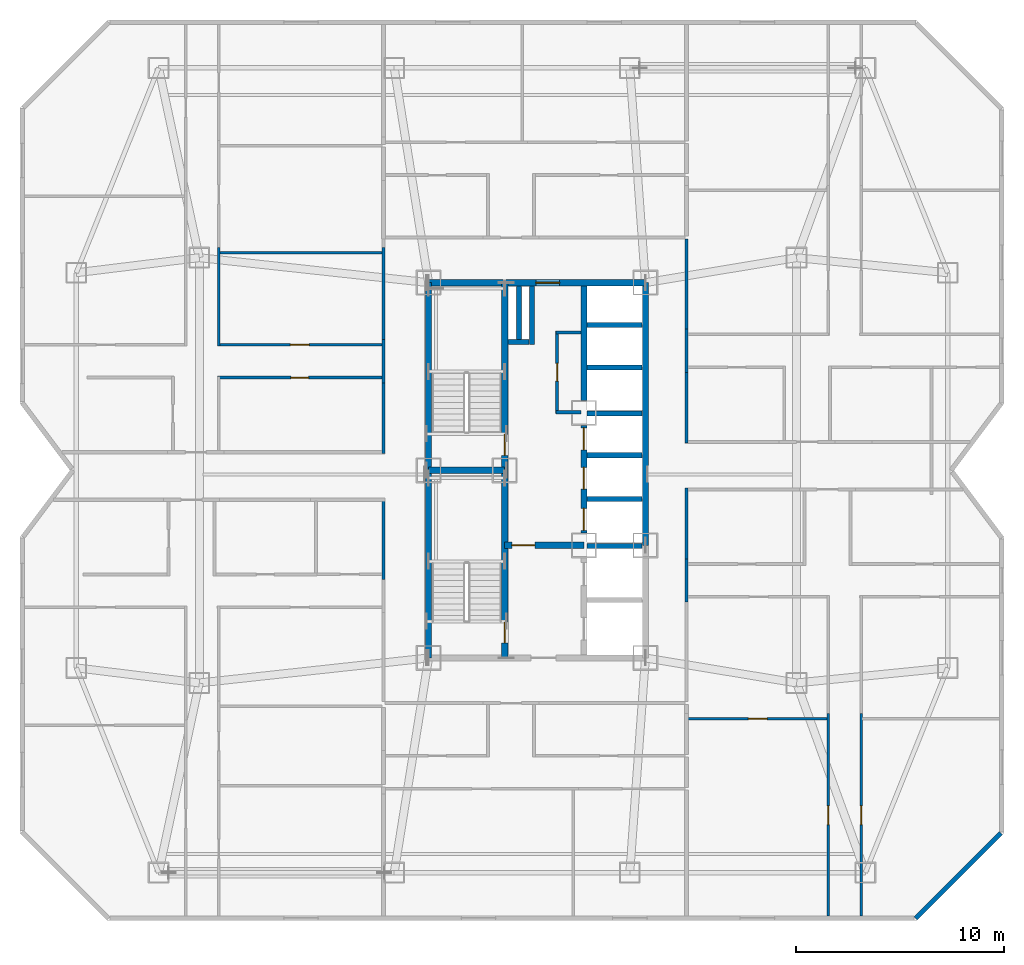
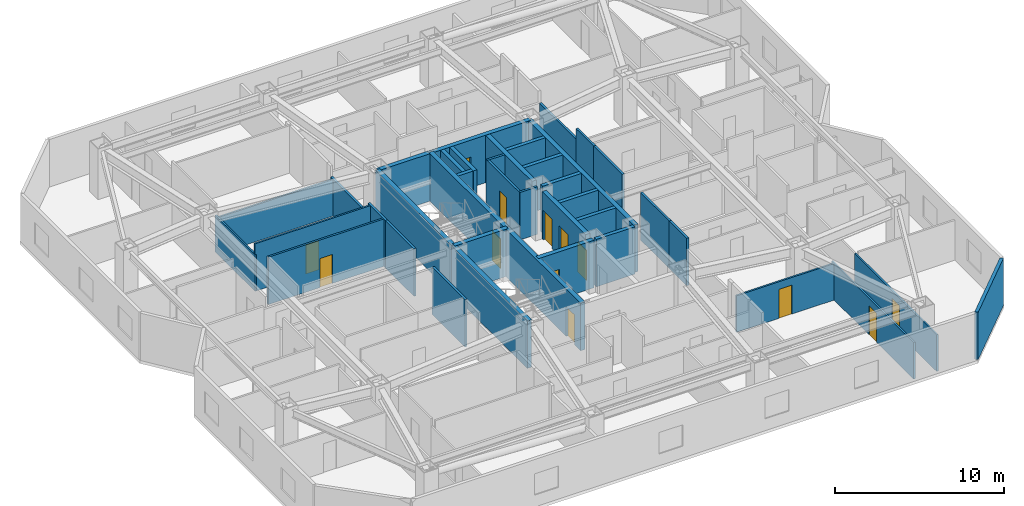
# One storey, part 6 of 10: 39 walls, 13 doors, 13 openings.
"""IFC4 building model written with IfcOpenShell, lengths in metres."""

import ifcopenshell
import ifcopenshell.guid

model = None  # the IFC model being written
_history = None  # IfcOwnerHistory: only IFC2X3 demands one
_inside = {}  # id of a spatial element -> (the spatial element, [elements in it])
_under = {}  # id of a project, library or spatial element -> (it, [spatial elements below it])
_declared = {}  # id of a project -> (the project, [libraries it declares])
_typed = {}  # id of a type object -> (the type object, [elements of that type])
_made_of = {}  # id of a material, layer set ... -> (it, [elements and type objects made of it])


def new_model(schema):
    """Start an empty IFC model of exactly this schema.

    Asked for "IFC4X3", IfcOpenShell would pick the latest addendum, in which some entities
    have other attributes; the version numbers below select the first issue.
    IFC2X3 requires an IfcOwnerHistory on every rooted entity: one is made here for all.
    """
    global model, _history
    if schema == "IFC4X3":
        model = ifcopenshell.file(schema_version=(4, 3, 0, 0))
    else:
        model = ifcopenshell.file(schema=schema)
    _inside.clear()
    _under.clear()
    _declared.clear()
    _typed.clear()
    _made_of.clear()
    _history = None
    if model.schema == "IFC2X3":
        org = make("IfcOrganization", Name="unknown")
        user = make(
            "IfcPersonAndOrganization",
            ThePerson=make("IfcPerson", FamilyName="unknown"),
            TheOrganization=org,
        )
        app = make(
            "IfcApplication",
            ApplicationDeveloper=org,
            Version="unknown",
            ApplicationFullName="unknown",
            ApplicationIdentifier="unknown",
        )
        _history = make(
            "IfcOwnerHistory",
            OwningUser=user,
            OwningApplication=app,
            ChangeAction="ADDED",
            CreationDate=0,
        )
    return model


def make(cls, **values):
    """One entity of the class cls with the attributes given. An attribute that is None is left unset."""
    return model.create_entity(
        cls, **{name: value for name, value in values.items() if value is not None}
    )


def rooted(cls, **values):
    """An entity with a GlobalId (a new one), such as an element, a storey or a relation."""
    return make(cls, GlobalId=ifcopenshell.guid.new(), OwnerHistory=_history, **values)


def si_unit(unit_type, name, prefix=None):
    """IfcSIUnit, for example si_unit("LENGTHUNIT", "METRE", prefix="MILLI")."""
    return make("IfcSIUnit", UnitType=unit_type, Prefix=prefix, Name=name)


def assignment(units):
    """IfcUnitAssignment: the units of a project."""
    return None if units is None else make("IfcUnitAssignment", Units=units)


def point(xyz):
    """IfcCartesianPoint."""
    return None if xyz is None else make("IfcCartesianPoint", Coordinates=xyz)


def direction(xyz):
    """IfcDirection."""
    return None if xyz is None else make("IfcDirection", DirectionRatios=xyz)


def frame(location, z_axis=None, x_axis=None):
    """IfcAxis2Placement3D, a coordinate frame: its origin and axes. An axis left out is left unset."""
    return make(
        "IfcAxis2Placement3D",
        Location=point(location),
        Axis=direction(z_axis),
        RefDirection=direction(x_axis),
    )


def frame_2d(location, x_axis=None):
    """IfcAxis2Placement2D, a coordinate frame in the plane: its origin and x axis."""
    return make(
        "IfcAxis2Placement2D", Location=point(location), RefDirection=direction(x_axis)
    )


def origin():
    """The frame at (0, 0, 0) with its axes left unset."""
    return frame((0.0, 0.0, 0.0))


def place(relative_to, where):
    """IfcLocalPlacement: puts the frame where relative to a parent placement (None: the world)."""
    return make(
        "IfcLocalPlacement", PlacementRelTo=relative_to, RelativePlacement=where
    )


def context(
    kind, dimensions, precision=None, world=None, true_north=None, identifier=None
):
    """IfcGeometricRepresentationContext, for example the 3D "Model" context."""
    return make(
        "IfcGeometricRepresentationContext",
        ContextIdentifier=identifier,
        ContextType=kind,
        CoordinateSpaceDimension=dimensions,
        Precision=precision,
        WorldCoordinateSystem=world,
        TrueNorth=true_north,
    )


def subcontext(parent, identifier, kind, view, scale=None):
    """IfcGeometricRepresentationSubContext, for example "Body" below "Model"."""
    return make(
        "IfcGeometricRepresentationSubContext",
        ContextIdentifier=identifier,
        ContextType=kind,
        ParentContext=parent,
        TargetScale=scale,
        TargetView=view,
    )


def project(units=None, contexts=None):
    """IfcProject with its units and contexts."""
    return rooted(
        "IfcProject",
        Name="project",
        RepresentationContexts=contexts,
        UnitsInContext=assignment(units),
    )


def spatial(cls, under=None, at=None, **own):
    """A site, building, storey or space (cls), placed at a placement, below another one or the project."""
    s = rooted(cls, ObjectPlacement=at, **own)
    if under is not None:
        _under.setdefault(under.id(), (under, []))[1].append(s)
    return s


def profile(cls, at=None, kind="AREA", **sizes):
    """A parametric profile (cls). Its sizes go by their IFC names, for example OverallWidth=200.0."""
    return make(cls, ProfileType=kind, Position=at, **sizes)


def rectangle(**sizes):
    """IfcRectangleProfileDef."""
    return profile("IfcRectangleProfileDef", **sizes)


def extrude(swept, where, along, depth):
    """IfcExtrudedAreaSolid: the profile swept, set in the frame where, extruded along a direction by depth."""
    return make(
        "IfcExtrudedAreaSolid",
        SweptArea=swept,
        Position=where,
        ExtrudedDirection=direction(along),
        Depth=depth,
    )


def shape(context_of_items, identifier, shape_type, items):
    """IfcShapeRepresentation: the items that make up one representation, for example the "Body"."""
    return make(
        "IfcShapeRepresentation",
        ContextOfItems=context_of_items,
        RepresentationIdentifier=identifier,
        RepresentationType=shape_type,
        Items=items,
    )


def material(Name=None, Category=None):
    """IfcMaterial."""
    return make("IfcMaterial", Name=Name, Category=Category)


def layer(
    of_material, thickness, ventilated=None, Name=None, Category=None, Priority=None
):
    """IfcMaterialLayer: one layer of a wall or slab, of a material (None: an air gap)."""
    return make(
        "IfcMaterialLayer",
        Material=of_material,
        LayerThickness=thickness,
        IsVentilated=ventilated,
        Name=Name,
        Category=Category,
        Priority=Priority,
    )


def layer_set(layers, Name=None):
    """IfcMaterialLayerSet."""
    return make("IfcMaterialLayerSet", MaterialLayers=layers, LayerSetName=Name)


def made_of(thing, what):
    """Note that an element or type object is made of a material, layer set ...; save() writes the relation."""
    if what is not None:
        _made_of.setdefault(what.id(), (what, []))[1].append(thing)
    return thing


def type_object(cls, material=None, **own):
    """A type object (cls), such as IfcWallType, which elements share."""
    return made_of(rooted(cls, **own), material)


def element(
    cls,
    number,
    at=None,
    inside=None,
    cuts=None,
    type_object=None,
    material=None,
    context=None,
    identifier="Body",
    shape_type=None,
    held_by="IfcProductDefinitionShape",
    body=None,
    shapes=None,
    **own,
):
    """One element of the class cls, such as IfcWall. Its Tag is "e" and its number.

    at: its placement. inside: the storey or other place that contains it. cuts: it is an
    opening in that element (IfcRelVoidsElement). A single representation is given by context,
    identifier, shape_type and body (its items); several are given by shapes. held_by: the class
    of the entity that holds the representations. save() writes the other relations.
    """
    e = rooted(cls, Tag="e%d" % number, ObjectPlacement=at, **own)
    if body is not None:
        shapes = [shape(context, identifier, shape_type, body)]
    if shapes is not None:
        e.Representation = make(held_by, Representations=shapes)
    if inside is not None:
        _inside.setdefault(inside.id(), (inside, []))[1].append(e)
    if cuts is not None:
        rooted(
            "IfcRelVoidsElement", RelatingBuildingElement=cuts, RelatedOpeningElement=e
        )
    if type_object is not None:
        _typed.setdefault(type_object.id(), (type_object, []))[1].append(e)
    return made_of(e, material)


def fill(opening, filler):
    """IfcRelFillsElement: the door or window that sits in an opening."""
    return rooted(
        "IfcRelFillsElement",
        RelatingOpeningElement=opening,
        RelatedBuildingElement=filler,
    )


def aggregate(whole, parts):
    """IfcRelAggregates: a whole, such as a stair, and the parts it consists of."""
    return rooted("IfcRelAggregates", RelatingObject=whole, RelatedObjects=parts)


def save(model, path):
    """Write the relations noted so far, then the file.

    IfcRelAggregates (storeys below a building ...), IfcRelContainedInSpatialStructure (elements
    in a storey), IfcRelDefinesByType, IfcRelAssociatesMaterial and IfcRelDeclares: one each for
    every whole, place, type object, material and project.
    """
    for whole, parts in _under.values():
        aggregate(whole, parts)
    for where, things in _inside.values():
        rooted(
            "IfcRelContainedInSpatialStructure",
            RelatedElements=things,
            RelatingStructure=where,
        )
    for kind, things in _typed.values():
        rooted("IfcRelDefinesByType", RelatedObjects=things, RelatingType=kind)
    for what, things in _made_of.values():
        rooted("IfcRelAssociatesMaterial", RelatedObjects=things, RelatingMaterial=what)
    for by, libraries in _declared.values():
        rooted("IfcRelDeclares", RelatingContext=by, RelatedDefinitions=libraries)
    model.write(path)


model = new_model("IFC4")

# Units and contexts
model_context = context("Model", 3, precision=1e-05, world=origin(), true_north=direction((0.0, 1.0)))
body_context = subcontext(model_context, "Body", "Model", "MODEL_VIEW")
ifc_project = project(units=[si_unit("LENGTHUNIT", "METRE"), si_unit("AREAUNIT", "SQUARE_METRE"), si_unit("VOLUMEUNIT", "CUBIC_METRE"), si_unit("PLANEANGLEUNIT", "RADIAN"), si_unit("MASSUNIT", "GRAM", prefix="KILO")], contexts=[model_context])

# Site, building, storey
site_placement = place(None, origin())
site = spatial("IfcSite", under=ifc_project, at=site_placement, CompositionType="ELEMENT")
building_placement = place(site_placement, origin())
building = spatial("IfcBuilding", under=site, at=building_placement, Name="Khamvora Tower", CompositionType="ELEMENT")
storey_placement = place(building_placement, frame((0.0, 0.0, 94.60009765625)))
storey = spatial("IfcBuildingStorey", under=building, at=storey_placement, Name="L23", CompositionType="ELEMENT", Elevation=94.60009765625)

# Walls
ifc_material_1 = material(Name="Concrete C50/60", Category="concrete")
ifc_layer_1 = layer(ifc_material_1, 0.300048828125)
ifc_layer_set_1 = layer_set([ifc_layer_1], Name="Concrete C50/60")
wall_type_1 = type_object("IfcWallType", Name="WAL-CORE-300", PredefinedType="SHEAR", material=ifc_layer_set_1)
for number, where, z_axis, x_axis, name in (
    (1, (29.0, 19.0, 0.0), (0.0, 0.0, 1.0), (0.0, 1.0, 0.0), "L23 central core west south wall"),
    (2, (29.0, 28.0, 0.0), (0.0, 0.0, 1.0), (0.0, 1.0, 0.0), "L23 central core west north wall"),
):
    element("IfcWall", number, at=place(storey_placement, frame(where, z_axis=z_axis, x_axis=x_axis)), inside=storey, type_object=wall_type_1, Name=name, PredefinedType="SHEAR", context=body_context, shape_type="SweptSolid", body=[
        extrude(rectangle(XDim=9.0, YDim=0.300048828125, at=frame_2d((4.5, 0.0))), origin(), (0.0, 0.0, 1.0), 3.429931640625),
    ])

# Wall, opening, door
wall_1_placement = place(storey_placement, frame((29.0, 37.0, 0.0), z_axis=(0.0, 0.0, 1.0), x_axis=(1.0, 0.0, 0.0)))
wall_1 = element("IfcWall", 3, at=wall_1_placement, inside=storey, type_object=wall_type_1, Name="L23 central core north wall", PredefinedType="SHEAR", context=body_context, shape_type="SweptSolid", body=[
    extrude(rectangle(XDim=10.39990234375, YDim=0.300048828125, at=frame_2d((5.199951171875, 0.0))), origin(), (0.0, 0.0, 1.0), 3.429931640625),
])
opening_1_placement = place(wall_1_placement, frame((5.139892578125, 0.0, 0.0)))
opening_1 = element("IfcOpeningElement", 4, at=opening_1_placement, cuts=wall_1, Name="Opening D-SC1", PredefinedType="OPENING", context=body_context, shape_type="SweptSolid", body=[
    extrude(rectangle(XDim=1.14990234375, YDim=2.199951171875, at=frame_2d((0.574951171875, 1.10009765625))), frame((0.0, 0.159912109375, 0.0), z_axis=(0.0, -1.0, 0.0), x_axis=(1.0, 0.0, 0.0)), (0.0, 0.0, 1.0), 0.320068359375),
])
ifc_material_2 = material(Name="Powder-Coated Steel and Hardwood Leaf", Category="steel")
door_type_1 = type_object("IfcDoorType", Name="DOR-SCHL-1150", OperationType="NOTDEFINED", PredefinedType="DOOR", material=ifc_material_2)
door_1_placement = place(opening_1_placement, origin())
door_1 = element("IfcDoor", 5, at=door_1_placement, inside=storey, type_object=door_type_1, Name="L23 north core lobby to corridor fire door", OperationType="SINGLE_SWING_LEFT", OverallHeight=2.199951171875, OverallWidth=1.14990234375, PredefinedType="DOOR", context=body_context, shape_type="SweptSolid", body=[
    extrude(rectangle(XDim=1.14990234375, YDim=2.199951171875, at=frame_2d((0.574951171875, 1.10009765625))), frame((0.0, 0.02490234375, 0.0), z_axis=(0.0, -1.0, 0.0), x_axis=(1.0, 0.0, 0.0)), (0.0, 0.0, 1.0), 0.050048828125),
])
fill(opening_1, door_1)

# Wall
wall_2_placement = place(storey_placement, frame((39.39990234375, 24.39990234375, 0.0), z_axis=(0.0, 0.0, 1.0), x_axis=(0.0, 1.0, 0.0)))
element("IfcWall", 6, at=wall_2_placement, inside=storey, type_object=wall_type_1, Name="L23 central core east north wall", PredefinedType="SHEAR", context=body_context, shape_type="SweptSolid", body=[
    extrude(rectangle(XDim=12.60009765625, YDim=0.300048828125, at=frame_2d((6.300048828125, 0.0))), origin(), (0.0, 0.0, 1.0), 3.429931640625),
])

# Wall, opening, door
wall_3_placement = place(storey_placement, frame((32.64990234375, 19.0, 0.0), z_axis=(0.0, 0.0, 1.0), x_axis=(0.0, 1.0, 0.0)))
wall_3 = element("IfcWall", 7, at=wall_3_placement, inside=storey, type_object=wall_type_1, Name="L23 central core stair south spine wall", PredefinedType="SHEAR", context=body_context, shape_type="SweptSolid", body=[
    extrude(rectangle(XDim=9.0, YDim=0.300048828125, at=frame_2d((4.5, 0.0))), origin(), (0.0, 0.0, 1.0), 3.429931640625),
])
opening_2_placement = place(wall_3_placement, frame((0.719970703125, 0.0, 0.0)))
opening_2 = element("IfcOpeningElement", 8, at=opening_2_placement, cuts=wall_3, Name="Opening D-ST1", PredefinedType="OPENING", context=body_context, shape_type="SweptSolid", body=[
    extrude(rectangle(XDim=1.0, YDim=2.14990234375, at=frame_2d((0.5, 1.074951171875))), frame((0.0, 0.159912109375, 0.0), z_axis=(0.0, -1.0, 0.0), x_axis=(1.0, 0.0, 0.0)), (0.0, 0.0, 1.0), 0.320068359375),
])
door_type_2 = type_object("IfcDoorType", Name="DOR-STAIR-1000", OperationType="NOTDEFINED", PredefinedType="DOOR", material=ifc_material_2)
door_2_placement = place(opening_2_placement, origin())
door_2 = element("IfcDoor", 9, at=door_2_placement, inside=storey, type_object=door_type_2, Name="L23 exit stair ST-01 fire door", OperationType="SINGLE_SWING_RIGHT", OverallHeight=2.14990234375, OverallWidth=1.0, PredefinedType="DOOR", context=body_context, shape_type="SweptSolid", body=[
    extrude(rectangle(XDim=1.0, YDim=2.14990234375, at=frame_2d((0.5, 1.074951171875))), frame((0.0, 0.02490234375, 0.0), z_axis=(0.0, -1.0, 0.0), x_axis=(1.0, 0.0, 0.0)), (0.0, 0.0, 1.0), 0.050048828125),
])
fill(opening_2, door_2)

wall_4_placement = place(storey_placement, frame((32.64990234375, 28.0, 0.0), z_axis=(0.0, 0.0, 1.0), x_axis=(0.0, 1.0, 0.0)))
wall_4 = element("IfcWall", 10, at=wall_4_placement, inside=storey, type_object=wall_type_1, Name="L23 central core stair north spine wall", PredefinedType="SHEAR", context=body_context, shape_type="SweptSolid", body=[
    extrude(rectangle(XDim=9.0, YDim=0.300048828125, at=frame_2d((4.5, 0.0))), origin(), (0.0, 0.0, 1.0), 3.429931640625),
])
opening_3_placement = place(wall_4_placement, frame((0.719970703125, 0.0, 0.0)))
opening_3 = element("IfcOpeningElement", 11, at=opening_3_placement, cuts=wall_4, Name="Opening D-ST1", PredefinedType="OPENING", context=body_context, shape_type="SweptSolid", body=[
    extrude(rectangle(XDim=1.0, YDim=2.14990234375, at=frame_2d((0.5, 1.074951171875))), frame((0.0, 0.159912109375, 0.0), z_axis=(0.0, -1.0, 0.0), x_axis=(1.0, 0.0, 0.0)), (0.0, 0.0, 1.0), 0.320068359375),
])
door_3_placement = place(opening_3_placement, origin())
door_3 = element("IfcDoor", 12, at=door_3_placement, inside=storey, type_object=door_type_2, Name="L23 exit stair ST-02 fire door", OperationType="SINGLE_SWING_RIGHT", OverallHeight=2.14990234375, OverallWidth=1.0, PredefinedType="DOOR", context=body_context, shape_type="SweptSolid", body=[
    extrude(rectangle(XDim=1.0, YDim=2.14990234375, at=frame_2d((0.5, 1.074951171875))), frame((0.0, 0.02490234375, 0.0), z_axis=(0.0, -1.0, 0.0), x_axis=(1.0, 0.0, 0.0)), (0.0, 0.0, 1.0), 0.050048828125),
])
fill(opening_3, door_3)

# Wall
wall_5_placement = place(storey_placement, frame((29.0, 28.0, 0.0), z_axis=(0.0, 0.0, 1.0), x_axis=(1.0, 0.0, 0.0)))
element("IfcWall", 13, at=wall_5_placement, inside=storey, type_object=wall_type_1, Name="L23 central core stair cross wall", PredefinedType="SHEAR", context=body_context, shape_type="SweptSolid", body=[
    extrude(rectangle(XDim=3.64990234375, YDim=0.300048828125, at=frame_2d((1.824951171875, 0.0))), origin(), (0.0, 0.0, 1.0), 3.429931640625),
])

# Wall, opening, door
wall_6_placement = place(storey_placement, frame((32.64990234375, 24.39990234375, 0.0), z_axis=(0.0, 0.0, 1.0), x_axis=(1.0, 0.0, 0.0)))
wall_6 = element("IfcWall", 14, at=wall_6_placement, inside=storey, type_object=wall_type_1, Name="L23 central core firefighting lobby north wall", PredefinedType="SHEAR", context=body_context, shape_type="SweptSolid", body=[
    extrude(rectangle(XDim=3.800048828125, YDim=0.300048828125, at=frame_2d((1.89990234375, 0.0))), origin(), (0.0, 0.0, 1.0), 3.429931640625),
])
opening_4_placement = place(wall_6_placement, frame((0.35009765625, 0.0, 0.0)))
opening_4 = element("IfcOpeningElement", 15, at=opening_4_placement, cuts=wall_6, Name="Opening D-FF1", PredefinedType="OPENING", context=body_context, shape_type="SweptSolid", body=[
    extrude(rectangle(XDim=1.10009765625, YDim=2.14990234375, at=frame_2d((0.550048828125, 1.074951171875))), frame((0.0, 0.159912109375, 0.0), z_axis=(0.0, -1.0, 0.0), x_axis=(1.0, 0.0, 0.0)), (0.0, 0.0, 1.0), 0.320068359375),
])
door_type_3 = type_object("IfcDoorType", Name="DOR-FFLOB-1100", OperationType="NOTDEFINED", PredefinedType="DOOR", material=ifc_material_2)
door_4_placement = place(opening_4_placement, origin())
door_4 = element("IfcDoor", 16, at=door_4_placement, inside=storey, type_object=door_type_3, Name="L23 firefighting lobby smoke-seal fire door", OperationType="SINGLE_SWING_LEFT", OverallHeight=2.14990234375, OverallWidth=1.10009765625, PredefinedType="DOOR", context=body_context, shape_type="SweptSolid", body=[
    extrude(rectangle(XDim=1.10009765625, YDim=2.14990234375, at=frame_2d((0.550048828125, 1.074951171875))), frame((0.0, 0.02490234375, 0.0), z_axis=(0.0, -1.0, 0.0), x_axis=(1.0, 0.0, 0.0)), (0.0, 0.0, 1.0), 0.050048828125),
])
fill(opening_4, door_4)

# Wall, openings, doors
wall_7_placement = place(storey_placement, frame((36.449951171875, 25.0, 0.0), z_axis=(0.0, 0.0, 1.0), x_axis=(0.0, 1.0, 0.0)))
wall_7 = element("IfcWall", 17, at=wall_7_placement, inside=storey, type_object=wall_type_1, Name="L23 central core lift bank central wall", PredefinedType="SHEAR", context=body_context, shape_type="SweptSolid", body=[
    extrude(rectangle(XDim=5.14990234375, YDim=0.300048828125, at=frame_2d((2.574951171875, 0.0))), origin(), (0.0, 0.0, 1.0), 3.429931640625),
])
opening_5_placement = place(wall_7_placement, frame((0.1201171875, 0.0, 0.0)))
opening_5 = element("IfcOpeningElement", 18, at=opening_5_placement, cuts=wall_7, Name="Opening LD-PL", PredefinedType="OPENING", context=body_context, shape_type="SweptSolid", body=[
    extrude(rectangle(XDim=1.050048828125, YDim=2.14990234375, at=frame_2d((0.52490234375, 1.074951171875))), frame((0.0, 0.159912109375, 0.0), z_axis=(0.0, -1.0, 0.0), x_axis=(1.0, 0.0, 0.0)), (0.0, 0.0, 1.0), 0.320068359375),
])
opening_6_placement = place(wall_7_placement, frame((2.094970703125, 0.0, 0.0)))
opening_6 = element("IfcOpeningElement", 19, at=opening_6_placement, cuts=wall_7, Name="Opening LD-PL", PredefinedType="OPENING", context=body_context, shape_type="SweptSolid", body=[
    extrude(rectangle(XDim=1.050048828125, YDim=2.14990234375, at=frame_2d((0.52490234375, 1.074951171875))), frame((0.0, 0.159912109375, 0.0), z_axis=(0.0, -1.0, 0.0), x_axis=(1.0, 0.0, 0.0)), (0.0, 0.0, 1.0), 0.320068359375),
])
opening_7_placement = place(wall_7_placement, frame((3.97998046875, 0.0, 0.0)))
opening_7 = element("IfcOpeningElement", 20, at=opening_7_placement, cuts=wall_7, Name="Opening LD-PL", PredefinedType="OPENING", context=body_context, shape_type="SweptSolid", body=[
    extrude(rectangle(XDim=1.050048828125, YDim=2.14990234375, at=frame_2d((0.52490234375, 1.074951171875))), frame((0.0, 0.159912109375, 0.0), z_axis=(0.0, -1.0, 0.0), x_axis=(1.0, 0.0, 0.0)), (0.0, 0.0, 1.0), 0.320068359375),
])
door_type_4 = type_object("IfcDoorType", Name="DOR-LIFT-1050", OperationType="SLIDING_TO_LEFT", PredefinedType="DOOR", material=ifc_material_2)
door_5_placement = place(opening_5_placement, origin())
door_5 = element("IfcDoor", 21, at=door_5_placement, inside=storey, type_object=door_type_4, Name="L23 lift landing sliding door PL-01", OperationType="SLIDING_TO_LEFT", OverallHeight=2.14990234375, OverallWidth=1.050048828125, PredefinedType="DOOR", context=body_context, shape_type="SweptSolid", body=[
    extrude(rectangle(XDim=1.050048828125, YDim=2.14990234375, at=frame_2d((0.52490234375, 1.074951171875))), frame((0.0, 0.02490234375, 0.0), z_axis=(0.0, -1.0, 0.0), x_axis=(1.0, 0.0, 0.0)), (0.0, 0.0, 1.0), 0.050048828125),
])
fill(opening_5, door_5)
door_6_placement = place(opening_6_placement, origin())
door_6 = element("IfcDoor", 22, at=door_6_placement, inside=storey, type_object=door_type_4, Name="L23 lift landing sliding door PL-02", OperationType="SLIDING_TO_LEFT", OverallHeight=2.14990234375, OverallWidth=1.050048828125, PredefinedType="DOOR", context=body_context, shape_type="SweptSolid", body=[
    extrude(rectangle(XDim=1.050048828125, YDim=2.14990234375, at=frame_2d((0.52490234375, 1.074951171875))), frame((0.0, 0.02490234375, 0.0), z_axis=(0.0, -1.0, 0.0), x_axis=(1.0, 0.0, 0.0)), (0.0, 0.0, 1.0), 0.050048828125),
])
fill(opening_6, door_6)
door_7_placement = place(opening_7_placement, origin())
door_7 = element("IfcDoor", 23, at=door_7_placement, inside=storey, type_object=door_type_4, Name="L23 lift landing sliding door PL-03", OperationType="SLIDING_TO_LEFT", OverallHeight=2.14990234375, OverallWidth=1.050048828125, PredefinedType="DOOR", context=body_context, shape_type="SweptSolid", body=[
    extrude(rectangle(XDim=1.050048828125, YDim=2.14990234375, at=frame_2d((0.52490234375, 1.074951171875))), frame((0.0, 0.02490234375, 0.0), z_axis=(0.0, -1.0, 0.0), x_axis=(1.0, 0.0, 0.0)), (0.0, 0.0, 1.0), 0.050048828125),
])
fill(opening_7, door_7)

# Walls
wall_8_placement = place(storey_placement, frame((36.449951171875, 31.35009765625, 0.0), z_axis=(0.0, 0.0, 1.0), x_axis=(0.0, 1.0, 0.0)))
element("IfcWall", 24, at=wall_8_placement, inside=storey, type_object=wall_type_1, Name="L23 central core lift bank north wall", PredefinedType="SHEAR", context=body_context, shape_type="SweptSolid", body=[
    extrude(rectangle(XDim=5.495849609375, YDim=0.300048828125, at=frame_2d((2.748046875, 0.0))), origin(), (0.0, 0.0, 1.0), 3.429931640625),
])
ifc_material_3 = material(Name="Fire-Rated Drywall and Steel Stud", Category="steel")
ifc_layer_2 = layer(ifc_material_3, 0.14990234375)
ifc_layer_set_2 = layer_set([ifc_layer_2], Name="Fire-Rated Drywall and Steel Stud")
wall_type_2 = type_object("IfcWallType", Name="WAL-CORR-150", PredefinedType="STANDARD", material=ifc_layer_set_2)
wall_9_placement = place(storey_placement, frame((36.305908203125, 34.614990234375, 0.0), z_axis=(0.0, 0.0, 1.0), x_axis=(-1.0, 0.0, 0.0)))
element("IfcWall", 25, at=wall_9_placement, inside=storey, type_object=wall_type_2, Name="L23 interior partition wall 001", PredefinedType="STANDARD", context=body_context, shape_type="SweptSolid", body=[
    extrude(rectangle(XDim=1.205810546875, YDim=0.14990234375, at=frame_2d((0.60302734375, 0.0))), origin(), (0.0, 0.0, 1.0), 3.429931640625),
])

# Wall, opening, door
wall_10_placement = place(storey_placement, frame((35.1650390625, 34.677978515625, 0.0), z_axis=(0.0, 0.0, 1.0), x_axis=(0.0, -1.0, 0.0)))
wall_10 = element("IfcWall", 26, at=wall_10_placement, inside=storey, type_object=wall_type_2, Name="L23 interior partition wall 002", PredefinedType="STANDARD", context=body_context, shape_type="SweptSolid", body=[
    extrude(rectangle(XDim=3.9580078125, YDim=0.14990234375, at=frame_2d((1.97900390625, 0.0))), origin(), (0.0, 0.0, 1.0), 3.429931640625),
])
opening_8_placement = place(wall_10_placement, frame((1.553955078125, 0.0, 0.0)))
opening_8 = element("IfcOpeningElement", 27, at=opening_8_placement, cuts=wall_10, Name="Opening D-WC1", PredefinedType="OPENING", context=body_context, shape_type="SweptSolid", body=[
    extrude(rectangle(XDim=0.85009765625, YDim=2.10009765625, at=frame_2d((0.425048828125, 1.050048828125))), frame((0.0, 0.0849609375, 0.0), z_axis=(0.0, -1.0, 0.0), x_axis=(1.0, 0.0, 0.0)), (0.0, 0.0, 1.0), 0.169921875),
])
door_type_5 = type_object("IfcDoorType", Name="DOR-WET-850", OperationType="NOTDEFINED", PredefinedType="DOOR", material=ifc_material_2)
door_8_placement = place(opening_8_placement, origin())
door_8 = element("IfcDoor", 28, at=door_8_placement, inside=storey, type_object=door_type_5, Name="L23 interior door PLL-CS1", OperationType="SINGLE_SWING_RIGHT", OverallHeight=2.10009765625, OverallWidth=0.85009765625, PredefinedType="DOOR", context=body_context, shape_type="SweptSolid", body=[
    extrude(rectangle(XDim=0.85009765625, YDim=2.10009765625, at=frame_2d((0.425048828125, 1.050048828125))), frame((0.0, 0.02490234375, 0.0), z_axis=(0.0, -1.0, 0.0), x_axis=(1.0, 0.0, 0.0)), (0.0, 0.0, 1.0), 0.050048828125),
])
fill(opening_8, door_8)

# Walls
wall_11_placement = place(storey_placement, frame((35.10205078125, 30.784912109375, 0.0), z_axis=(0.0, 0.0, 1.0), x_axis=(1.0, 0.0, 0.0)))
element("IfcWall", 29, at=wall_11_placement, inside=storey, type_object=wall_type_2, Name="L23 interior partition wall 003", PredefinedType="STANDARD", context=body_context, shape_type="SweptSolid", body=[
    extrude(rectangle(XDim=1.197998046875, YDim=0.14990234375, at=frame_2d((0.59912109375, 0.0))), origin(), (0.0, 0.0, 1.0), 3.429931640625),
])
wall_12_placement = place(storey_placement, frame((26.8349609375, 22.756103515625, 0.0), z_axis=(0.0, 0.0, 1.0), x_axis=(0.0, 1.0, 0.0)))
element("IfcWall", 30, at=wall_12_placement, inside=storey, type_object=wall_type_2, Name="L23 interior partition wall 004", PredefinedType="STANDARD", context=body_context, shape_type="SweptSolid", body=[
    extrude(rectangle(XDim=3.893798828125, YDim=0.14990234375, at=frame_2d((1.94677734375, 0.0))), origin(), (0.0, 0.0, 1.0), 3.429931640625),
])
wall_13_placement = place(storey_placement, frame((26.8349609375, 32.196044921875, 0.0), z_axis=(0.0, 0.0, 1.0), x_axis=(0.0, 1.0, 0.0)))
element("IfcWall", 31, at=wall_13_placement, inside=storey, type_object=wall_type_2, Name="L23 interior partition wall 012", PredefinedType="STANDARD", context=body_context, shape_type="SweptSolid", body=[
    extrude(rectangle(XDim=2.077880859375, YDim=0.14990234375, at=frame_2d((1.0390625, 0.0))), origin(), (0.0, 0.0, 1.0), 3.429931640625),
])
wall_14_placement = place(storey_placement, frame((26.8349609375, 28.802001953125, 0.0), z_axis=(0.0, 0.0, 1.0), x_axis=(0.0, 1.0, 0.0)))
element("IfcWall", 32, at=wall_14_placement, inside=storey, type_object=wall_type_2, Name="L23 interior partition wall 015", PredefinedType="STANDARD", context=body_context, shape_type="SweptSolid", body=[
    extrude(rectangle(XDim=3.39404296875, YDim=0.14990234375, at=frame_2d((1.697021484375, 0.0))), origin(), (0.0, 0.0, 1.0), 3.429931640625),
])
wall_15_placement = place(storey_placement, frame((26.8349609375, 34.27392578125, 0.0), z_axis=(0.0, 0.0, 1.0), x_axis=(0.0, 1.0, 0.0)))
element("IfcWall", 33, at=wall_15_placement, inside=storey, type_object=wall_type_2, Name="L23 interior partition wall 016", PredefinedType="STANDARD", context=body_context, shape_type="SweptSolid", body=[
    extrude(rectangle(XDim=4.4140625, YDim=0.14990234375, at=frame_2d((2.20703125, 0.0))), origin(), (0.0, 0.0, 1.0), 2.64697265625),
])
wall_16_placement = place(storey_placement, frame((41.364990234375, 23.75390625, 0.0), z_axis=(0.0, 0.0, 1.0), x_axis=(0.0, -1.0, 0.0)))
element("IfcWall", 34, at=wall_16_placement, inside=storey, type_object=wall_type_2, Name="L23 interior partition wall 025", PredefinedType="STANDARD", context=body_context, shape_type="SweptSolid", body=[
    extrude(rectangle(XDim=2.077880859375, YDim=0.14990234375, at=frame_2d((1.0390625, 0.0))), origin(), (0.0, 0.0, 1.0), 3.429931640625),
])
wall_17_placement = place(storey_placement, frame((41.364990234375, 27.14794921875, 0.0), z_axis=(0.0, 0.0, 1.0), x_axis=(0.0, -1.0, 0.0)))
element("IfcWall", 35, at=wall_17_placement, inside=storey, type_object=wall_type_2, Name="L23 interior partition wall 027", PredefinedType="STANDARD", context=body_context, shape_type="SweptSolid", body=[
    extrude(rectangle(XDim=3.39404296875, YDim=0.14990234375, at=frame_2d((1.697021484375, 0.0))), origin(), (0.0, 0.0, 1.0), 3.429931640625),
])
wall_18_placement = place(storey_placement, frame((41.364990234375, 34.77392578125, 0.0), z_axis=(0.0, 0.0, 1.0), x_axis=(0.0, -1.0, 0.0)))
element("IfcWall", 36, at=wall_18_placement, inside=storey, type_object=wall_type_2, Name="L23 interior partition wall 031", PredefinedType="STANDARD", context=body_context, shape_type="SweptSolid", body=[
    extrude(rectangle(XDim=2.077880859375, YDim=0.14990234375, at=frame_2d((1.0390625, 0.0))), origin(), (0.0, 0.0, 1.0), 3.429931640625),
])
wall_19_placement = place(storey_placement, frame((41.364990234375, 32.696044921875, 0.0), z_axis=(0.0, 0.0, 1.0), x_axis=(0.0, -1.0, 0.0)))
element("IfcWall", 37, at=wall_19_placement, inside=storey, type_object=wall_type_2, Name="L23 interior partition wall 033", PredefinedType="STANDARD", context=body_context, shape_type="SweptSolid", body=[
    extrude(rectangle(XDim=3.39599609375, YDim=0.14990234375, at=frame_2d((1.697998046875, 0.0))), origin(), (0.0, 0.0, 1.0), 3.429931640625),
])
wall_20_placement = place(storey_placement, frame((41.364990234375, 39.10009765625, 0.0), z_axis=(0.0, 0.0, 1.0), x_axis=(0.0, -1.0, 0.0)))
element("IfcWall", 38, at=wall_20_placement, inside=storey, type_object=wall_type_2, Name="L23 interior partition wall 036", PredefinedType="STANDARD", context=body_context, shape_type="SweptSolid", body=[
    extrude(rectangle(XDim=4.326171875, YDim=0.14990234375, at=frame_2d((2.1630859375, 0.0))), origin(), (0.0, 0.0, 1.0), 2.64697265625),
])
ifc_material_4 = material(Name="Precast concrete C40/50", Category="concrete")
ifc_layer_3 = layer(ifc_material_4, 0.219970703125)
ifc_layer_set_3 = layer_set([ifc_layer_3], Name="Precast concrete C40/50")
wall_type_3 = type_object("IfcWallType", Name="WAL-EXT-220", PredefinedType="STANDARD", material=ifc_layer_set_3)
wall_21_placement = place(storey_placement, frame((56.43994140625, 10.595947265625, 0.0), z_axis=(0.0, 0.0, 1.0), x_axis=(-0.707106781187, -0.707106781187, 0.0)))
element("IfcWall", 39, at=wall_21_placement, inside=storey, type_object=wall_type_3, Name="L23 exterior facade wall 13.1", PredefinedType="STANDARD", context=body_context, shape_type="SweptSolid", body=[
    extrude(rectangle(XDim=5.7783203125, YDim=0.219970703125, at=frame_2d((2.88916015625, 0.0))), origin(), (0.0, 0.0, 1.0), 3.429931640625),
])

# Wall, opening, door
ifc_material_5 = material(Name="Gypsum Plasterboard Partition", Category="gypsum")
ifc_layer_4 = layer(ifc_material_5, 0.1201171875)
ifc_layer_set_4 = layer_set([ifc_layer_4], Name="Gypsum Plasterboard Partition")
wall_type_4 = type_object("IfcWallType", Name="WAL-PART-120", PredefinedType="PARTITIONING", material=ifc_layer_set_4)
wall_22_placement = place(storey_placement, frame((18.866943359375, 34.02490234375, 0.0), z_axis=(0.0, 0.0, 1.0), x_axis=(1.0, 0.0, 0.0)))
wall_22 = element("IfcWall", 40, at=wall_22_placement, inside=storey, type_object=wall_type_4, Name="L23 interior partition wall 064", PredefinedType="PARTITIONING", context=body_context, shape_type="SweptSolid", body=[
    extrude(rectangle(XDim=7.903076171875, YDim=0.1201171875, at=frame_2d((3.95166015625, 0.0))), origin(), (0.0, 0.0, 1.0), 3.429931640625),
])
opening_9_placement = place(wall_22_placement, frame((3.5009765625, 0.0, 0.0)))
opening_9 = element("IfcOpeningElement", 41, at=opening_9_placement, cuts=wall_22, Name="Opening D-RM1", PredefinedType="OPENING", context=body_context, shape_type="SweptSolid", body=[
    extrude(rectangle(XDim=0.89990234375, YDim=2.10009765625, at=frame_2d((0.449951171875, 1.050048828125))), frame((0.0, 0.070068359375, 0.0), z_axis=(0.0, -1.0, 0.0), x_axis=(1.0, 0.0, 0.0)), (0.0, 0.0, 1.0), 0.14013671875),
])
door_type_6 = type_object("IfcDoorType", Name="DOR-ROOM-900", OperationType="NOTDEFINED", PredefinedType="DOOR", material=ifc_material_2)
door_9_placement = place(opening_9_placement, origin())
door_9 = element("IfcDoor", 42, at=door_9_placement, inside=storey, type_object=door_type_6, Name="L23 interior door 23WBH-23WBR3", OperationType="SINGLE_SWING_RIGHT", OverallHeight=2.10009765625, OverallWidth=0.89990234375, PredefinedType="DOOR", context=body_context, shape_type="SweptSolid", body=[
    extrude(rectangle(XDim=0.89990234375, YDim=2.10009765625, at=frame_2d((0.449951171875, 1.050048828125))), frame((0.0, 0.02490234375, 0.0), z_axis=(0.0, -1.0, 0.0), x_axis=(1.0, 0.0, 0.0)), (0.0, 0.0, 1.0), 0.050048828125),
])
fill(opening_9, door_9)

# Walls
wall_23_placement = place(storey_placement, frame((18.925048828125, 38.68798828125, 0.0), z_axis=(0.0, 0.0, 1.0), x_axis=(0.0, -1.0, 0.0)))
element("IfcWall", 43, at=wall_23_placement, inside=storey, type_object=wall_type_4, Name="L23 interior partition wall 065", PredefinedType="PARTITIONING", context=body_context, shape_type="SweptSolid", body=[
    extrude(rectangle(XDim=4.72802734375, YDim=0.1201171875, at=frame_2d((2.364013671875, 0.0))), origin(), (0.0, 0.0, 1.0), 2.64697265625),
])
wall_24_placement = place(storey_placement, frame((18.97900390625, 38.43896484375, 0.0), z_axis=(0.0, 0.0, 1.0), x_axis=(1.0, 0.0, 0.0)))
element("IfcWall", 44, at=wall_24_placement, inside=storey, type_object=wall_type_4, Name="L23 interior partition wall 069", PredefinedType="PARTITIONING", context=body_context, shape_type="SweptSolid", body=[
    extrude(rectangle(XDim=7.791015625, YDim=0.1201171875, at=frame_2d((3.8955078125, 0.0))), origin(), (0.0, 0.0, 1.0), 2.64697265625),
])

# Wall, opening, door
wall_25_placement = place(storey_placement, frame((48.175048828125, 6.612060546875, 0.0), z_axis=(0.0, 0.0, 1.0), x_axis=(0.0, 1.0, 0.0)))
wall_25 = element("IfcWall", 45, at=wall_25_placement, inside=storey, type_object=wall_type_4, Name="L23 interior partition wall 101", PredefinedType="PARTITIONING", context=body_context, shape_type="SweptSolid", body=[
    extrude(rectangle(XDim=9.725830078125, YDim=0.1201171875, at=frame_2d((4.86279296875, 0.0))), origin(), (0.0, 0.0, 1.0), 2.64697265625),
])
opening_10_placement = place(wall_25_placement, frame((4.39208984375, 0.0, 0.0)))
opening_10 = element("IfcOpeningElement", 46, at=opening_10_placement, cuts=wall_25, Name="Opening D-RM1", PredefinedType="OPENING", context=body_context, shape_type="SweptSolid", body=[
    extrude(rectangle(XDim=0.89990234375, YDim=2.10009765625, at=frame_2d((0.449951171875, 1.050048828125))), frame((0.0, 0.070068359375, 0.0), z_axis=(0.0, -1.0, 0.0), x_axis=(1.0, 0.0, 0.0)), (0.0, 0.0, 1.0), 0.14013671875),
])
door_10_placement = place(opening_10_placement, origin())
door_10 = element("IfcDoor", 47, at=door_10_placement, inside=storey, type_object=door_type_6, Name="L23 interior door 23EAH-23EAR1", OperationType="SINGLE_SWING_LEFT", OverallHeight=2.10009765625, OverallWidth=0.89990234375, PredefinedType="DOOR", context=body_context, shape_type="SweptSolid", body=[
    extrude(rectangle(XDim=0.89990234375, YDim=2.10009765625, at=frame_2d((0.449951171875, 1.050048828125))), frame((0.0, 0.02490234375, 0.0), z_axis=(0.0, -1.0, 0.0), x_axis=(1.0, 0.0, 0.0)), (0.0, 0.0, 1.0), 0.050048828125),
])
fill(opening_10, door_10)

wall_26_placement = place(storey_placement, frame((49.7451171875, 16.337890625, 0.0), z_axis=(0.0, 0.0, 1.0), x_axis=(0.0, -1.0, 0.0)))
wall_26 = element("IfcWall", 48, at=wall_26_placement, inside=storey, type_object=wall_type_4, Name="L23 interior partition wall 104", PredefinedType="PARTITIONING", context=body_context, shape_type="SweptSolid", body=[
    extrude(rectangle(XDim=9.725830078125, YDim=0.1201171875, at=frame_2d((4.86279296875, 0.0))), origin(), (0.0, 0.0, 1.0), 2.64697265625),
])
opening_11_placement = place(wall_26_placement, frame((4.43408203125, 0.0, 0.0)))
opening_11 = element("IfcOpeningElement", 49, at=opening_11_placement, cuts=wall_26, Name="Opening D-RM1", PredefinedType="OPENING", context=body_context, shape_type="SweptSolid", body=[
    extrude(rectangle(XDim=0.89990234375, YDim=2.10009765625, at=frame_2d((0.449951171875, 1.050048828125))), frame((0.0, 0.070068359375, 0.0), z_axis=(0.0, -1.0, 0.0), x_axis=(1.0, 0.0, 0.0)), (0.0, 0.0, 1.0), 0.14013671875),
])
door_11_placement = place(opening_11_placement, origin())
door_11 = element("IfcDoor", 50, at=door_11_placement, inside=storey, type_object=door_type_6, Name="L23 interior door 23EAH-23EAR3", OperationType="SINGLE_SWING_LEFT", OverallHeight=2.10009765625, OverallWidth=0.89990234375, PredefinedType="DOOR", context=body_context, shape_type="SweptSolid", body=[
    extrude(rectangle(XDim=0.89990234375, YDim=2.10009765625, at=frame_2d((0.449951171875, 1.050048828125))), frame((0.0, 0.02490234375, 0.0), z_axis=(0.0, -1.0, 0.0), x_axis=(1.0, 0.0, 0.0)), (0.0, 0.0, 1.0), 0.050048828125),
])
fill(opening_11, door_11)

wall_27_placement = place(storey_placement, frame((41.447021484375, 16.089111328125, 0.0), z_axis=(0.0, 0.0, 1.0), x_axis=(1.0, 0.0, 0.0)))
wall_27 = element("IfcWall", 51, at=wall_27_placement, inside=storey, type_object=wall_type_4, Name="L23 interior partition wall 107", PredefinedType="PARTITIONING", context=body_context, shape_type="SweptSolid", body=[
    extrude(rectangle(XDim=6.674072265625, YDim=0.1201171875, at=frame_2d((3.3369140625, 0.0))), origin(), (0.0, 0.0, 1.0), 2.64697265625),
])
opening_12_placement = place(wall_27_placement, frame((2.886962890625, 0.0, 0.0)))
opening_12 = element("IfcOpeningElement", 52, at=opening_12_placement, cuts=wall_27, Name="Opening D-RM1", PredefinedType="OPENING", context=body_context, shape_type="SweptSolid", body=[
    extrude(rectangle(XDim=0.89990234375, YDim=2.10009765625, at=frame_2d((0.449951171875, 1.050048828125))), frame((0.0, 0.070068359375, 0.0), z_axis=(0.0, -1.0, 0.0), x_axis=(1.0, 0.0, 0.0)), (0.0, 0.0, 1.0), 0.14013671875),
])
door_12_placement = place(opening_12_placement, origin())
door_12 = element("IfcDoor", 53, at=door_12_placement, inside=storey, type_object=door_type_6, Name="L23 interior door 23EAR1-23EAR2", OperationType="SINGLE_SWING_LEFT", OverallHeight=2.10009765625, OverallWidth=0.89990234375, PredefinedType="DOOR", context=body_context, shape_type="SweptSolid", body=[
    extrude(rectangle(XDim=0.89990234375, YDim=2.10009765625, at=frame_2d((0.449951171875, 1.050048828125))), frame((0.0, 0.02490234375, 0.0), z_axis=(0.0, -1.0, 0.0), x_axis=(1.0, 0.0, 0.0)), (0.0, 0.0, 1.0), 0.050048828125),
])
fill(opening_12, door_12)

# Walls
ifc_material_6 = material(Name="Concrete C40/50", Category="concrete")
ifc_layer_5 = layer(ifc_material_6, 0.25)
ifc_layer_set_5 = layer_set([ifc_layer_5], Name="Concrete C40/50")
wall_type_5 = type_object("IfcWallType", Name="WAL-PODS-250", PredefinedType="SHEAR", material=ifc_layer_set_5)
for number, where, z_axis, x_axis, name in (
    (54, (36.60400390625, 24.375, 0.0), (0.0, 0.0, 1.0), (1.0, 0.0, 0.0), "L23 lift shaft divider wall FFL-02"),
    (55, (36.60400390625, 26.625, 0.0), (0.0, 0.0, 1.0), (1.0, 0.0, 0.0), "L23 lift shaft divider wall PL-01"),
    (56, (36.60400390625, 28.72509765625, 0.0), (0.0, 0.0, 1.0), (1.0, 0.0, 0.0), "L23 lift shaft divider wall PL-02"),
    (57, (36.60400390625, 30.72509765625, 0.0), (0.0, 0.0, 1.0), (1.0, 0.0, 0.0), "L23 lift shaft divider wall PL-03"),
    (58, (36.60400390625, 32.925048828125, 0.0), (0.0, 0.0, 1.0), (1.0, 0.0, 0.0), "L23 lift shaft divider wall PH-01"),
    (59, (36.60400390625, 34.97509765625, 0.0), (0.0, 0.0, 1.0), (1.0, 0.0, 0.0), "L23 lift shaft divider wall PH-02"),
):
    element("IfcWall", number, at=place(storey_placement, frame(where, z_axis=z_axis, x_axis=x_axis)), inside=storey, type_object=wall_type_5, Name=name, PredefinedType="SHEAR", context=body_context, shape_type="SweptSolid", body=[
        extrude(rectangle(XDim=2.64208984375, YDim=0.25, at=frame_2d((1.321044921875, 0.0))), origin(), (0.0, 0.0, 1.0), 3.429931640625),
    ])
wall_28_placement = place(storey_placement, frame((33.955078125, 34.02490234375, 0.0), z_axis=(0.0, 0.0, 1.0), x_axis=(0.0, 1.0, 0.0)))
element("IfcWall", 60, at=wall_28_placement, inside=storey, type_object=wall_type_5, Name="L23 vertical MEP riser shaft east enclosure wall", PredefinedType="SHEAR", context=body_context, shape_type="SweptSolid", body=[
    extrude(rectangle(XDim=2.821044921875, YDim=0.25, at=frame_2d((1.41064453125, 0.0))), origin(), (0.0, 0.0, 1.0), 3.429931640625),
])
wall_29_placement = place(storey_placement, frame((32.803955078125, 34.14990234375, 0.0), z_axis=(0.0, 0.0, 1.0), x_axis=(1.0, 0.0, 0.0)))
element("IfcWall", 61, at=wall_29_placement, inside=storey, type_object=wall_type_5, Name="L23 vertical MEP riser shaft south enclosure wall", PredefinedType="SHEAR", context=body_context, shape_type="SweptSolid", body=[
    extrude(rectangle(XDim=1.02197265625, YDim=0.25, at=frame_2d((0.510986328125, 0.0))), origin(), (0.0, 0.0, 1.0), 3.429931640625),
])
wall_30_placement = place(storey_placement, frame((33.340087890625, 34.279052734375, 0.0), z_axis=(0.0, 0.0, 1.0), x_axis=(0.0, 1.0, 0.0)))
element("IfcWall", 62, at=wall_30_placement, inside=storey, type_object=wall_type_5, Name="L23 vertical MEP riser shaft divider enclosure wall", PredefinedType="SHEAR", context=body_context, shape_type="SweptSolid", body=[
    extrude(rectangle(XDim=2.56689453125, YDim=0.25, at=frame_2d((1.283447265625, 0.0))), origin(), (0.0, 0.0, 1.0), 3.429931640625),
])

# Wall, opening, door
ifc_material_7 = material(Name="Moisture-Resistant Plasterboard Partition", Category="gypsum")
ifc_layer_6 = layer(ifc_material_7, 0.135009765625)
ifc_layer_set_6 = layer_set([ifc_layer_6], Name="Moisture-Resistant Plasterboard Partition")
wall_type_6 = type_object("IfcWallType", Name="WAL-WET-135", PredefinedType="PARTITIONING", material=ifc_layer_set_6)
wall_31_placement = place(storey_placement, frame((26.77001953125, 32.445068359375, 0.0), z_axis=(0.0, 0.0, 1.0), x_axis=(-1.0, 0.0, 0.0)))
wall_31 = element("IfcWall", 63, at=wall_31_placement, inside=storey, type_object=wall_type_6, Name="L23 interior partition wall 059", PredefinedType="PARTITIONING", context=body_context, shape_type="SweptSolid", body=[
    extrude(rectangle(XDim=7.903076171875, YDim=0.135009765625, at=frame_2d((3.95166015625, 0.0))), origin(), (0.0, 0.0, 1.0), 3.429931640625),
])
opening_13_placement = place(wall_31_placement, frame((3.52587890625, 0.0, 0.0)))
opening_13 = element("IfcOpeningElement", 64, at=opening_13_placement, cuts=wall_31, Name="Opening D-RM2", PredefinedType="OPENING", context=body_context, shape_type="SweptSolid", body=[
    extrude(rectangle(XDim=0.85009765625, YDim=2.10009765625, at=frame_2d((0.425048828125, 1.050048828125))), frame((0.0, 0.077392578125, 0.0), z_axis=(0.0, -1.0, 0.0), x_axis=(1.0, 0.0, 0.0)), (0.0, 0.0, 1.0), 0.155029296875),
])
door_type_7 = type_object("IfcDoorType", Name="DOR-ROOM-850", OperationType="NOTDEFINED", PredefinedType="DOOR", material=ifc_material_2)
door_13_placement = place(opening_13_placement, origin())
door_13 = element("IfcDoor", 65, at=door_13_placement, inside=storey, type_object=door_type_7, Name="L23 interior door 23WBH-23WBK", OperationType="SINGLE_SWING_LEFT", OverallHeight=2.10009765625, OverallWidth=0.85009765625, PredefinedType="DOOR", context=body_context, shape_type="SweptSolid", body=[
    extrude(rectangle(XDim=0.85009765625, YDim=2.10009765625, at=frame_2d((0.425048828125, 1.050048828125))), frame((0.0, 0.02490234375, 0.0), z_axis=(0.0, -1.0, 0.0), x_axis=(1.0, 0.0, 0.0)), (0.0, 0.0, 1.0), 0.050048828125),
])
fill(opening_13, door_13)

save(model, "model.ifc")
